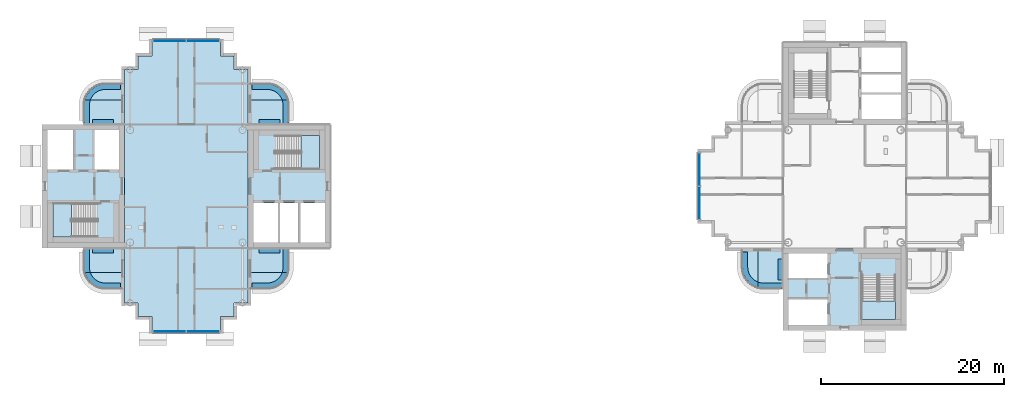
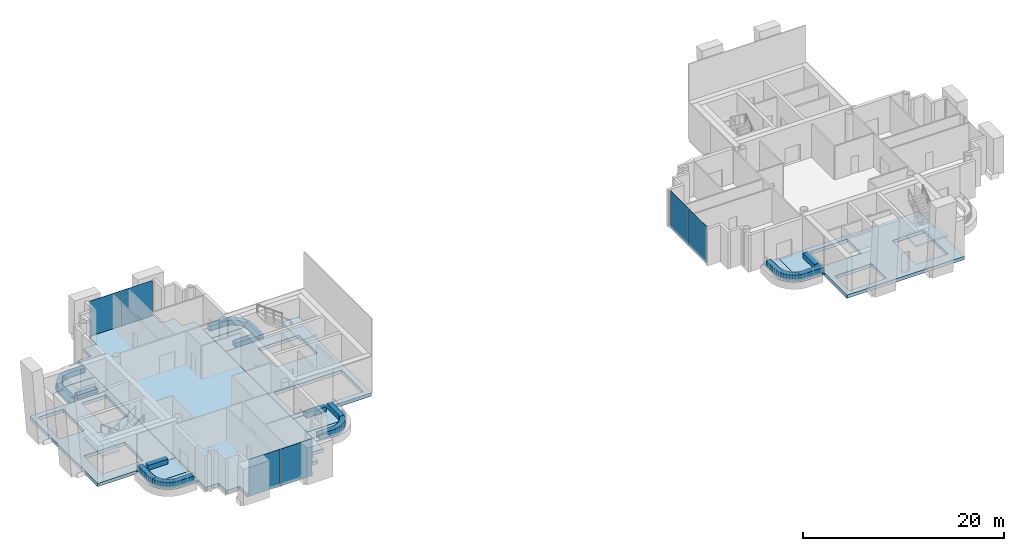
# One storey, part 5 of 20: 32 slabs, 6 plates, 6 elements without a shape of their own.
"""IFC4 building model written with IfcOpenShell, lengths in metres."""

from ifc_helpers import new_model, si_unit, direction, frame, origin, origin_2d, place, context, subcontext, project, spatial, polyline, rectangle, outline, extrude, material, layer, layer_set, type_object, element, aggregate, save


model = new_model("IFC4")

# Units and contexts
model_context = context("Model", 3, precision=1e-05, world=origin(), true_north=direction((0.0, 1.0)))
body_context = subcontext(model_context, "Body", "Model", "MODEL_VIEW")
ifc_project = project(units=[si_unit("LENGTHUNIT", "METRE"), si_unit("AREAUNIT", "SQUARE_METRE"), si_unit("VOLUMEUNIT", "CUBIC_METRE"), si_unit("PLANEANGLEUNIT", "RADIAN"), si_unit("MASSUNIT", "GRAM", prefix="KILO")], contexts=[model_context])

# Site, building, storey
site_placement = place(None, origin())
site = spatial("IfcSite", under=ifc_project, at=site_placement, CompositionType="ELEMENT")
building_placement = place(site_placement, origin())
building = spatial("IfcBuilding", under=site, at=building_placement, Name="Ipe Terrace Towers", CompositionType="ELEMENT")
storey_placement = place(building_placement, frame((0.0, 0.0, 242.39990234375)))
storey = spatial("IfcBuildingStorey", under=building, at=storey_placement, Name="L67", CompositionType="ELEMENT", Elevation=242.39990234375)

# Slabs
ifc_material_1 = material(Name="Concrete C30/37", Category="concrete")
ifc_layer_1 = layer(ifc_material_1, 0.199951171875)
ifc_layer_set_1 = layer_set([ifc_layer_1], Name="BALCONY SLAB 200")
slab_type_1 = type_object("IfcSlabType", Name="BALCONY SLAB 200", PredefinedType="FLOOR", material=ifc_layer_set_1)
slab_1_placement = place(storey_placement, frame((0.0, 0.0, -0.219970703125)))
element("IfcSlab", 1, at=slab_1_placement, inside=storey, type_object=slab_type_1, Name="balcony slab", PredefinedType="FLOOR", context=body_context, shape_type="SweptSolid", body=[
    extrude(outline(polyline([(-47.22900390625, -9.1630859375), (-47.172119140625, -9.449951171875), (-42.75, -9.449951171875), (-42.75, -6.75), (-47.25, -6.75), (-47.25, -8.85009765625), (-47.22900390625, -9.1630859375)])), origin(), (0.0, 0.0, 1.0), 0.199951171875),
])
slab_2_placement = place(storey_placement, frame((0.0, 0.0, -0.219970703125)))
element("IfcSlab", 2, at=slab_2_placement, inside=storey, type_object=slab_type_1, Name="balcony slab", PredefinedType="FLOOR", context=body_context, shape_type="SweptSolid", body=[
    extrude(outline(polyline([(-42.75, -11.25), (-42.75, -9.449951171875), (-47.172119140625, -9.449951171875), (-47.16796875, -9.470947265625), (-47.06689453125, -9.76806640625), (-46.927978515625, -10.050048828125), (-46.75390625, -10.31103515625), (-46.547119140625, -10.547119140625), (-46.31103515625, -10.75390625), (-46.050048828125, -10.927978515625), (-45.76806640625, -11.06689453125), (-45.470947265625, -11.16796875), (-45.1630859375, -11.22900390625), (-44.85009765625, -11.25), (-42.75, -11.25)])), origin(), (0.0, 0.0, 1.0), 0.199951171875),
])
slab_3_placement = place(storey_placement, frame((0.0, 0.0, -0.219970703125)))
element("IfcSlab", 3, at=slab_3_placement, inside=storey, type_object=slab_type_1, Name="balcony slab", PredefinedType="FLOOR", context=body_context, shape_type="SweptSolid", body=[
    extrude(outline(polyline([(-47.22900390625, 9.1630859375), (-47.25, 8.85009765625), (-47.25, 6.75), (-42.75, 6.75), (-42.75, 9.449951171875), (-47.172119140625, 9.449951171875), (-47.22900390625, 9.1630859375)])), origin(), (0.0, 0.0, 1.0), 0.199951171875),
])
slab_4_placement = place(storey_placement, frame((0.0, 0.0, -0.219970703125)))
element("IfcSlab", 4, at=slab_4_placement, inside=storey, type_object=slab_type_1, Name="balcony slab", PredefinedType="FLOOR", context=body_context, shape_type="SweptSolid", body=[
    extrude(outline(polyline([(-42.75, 11.25), (-44.85009765625, 11.25), (-45.1630859375, 11.22900390625), (-45.470947265625, 11.16796875), (-45.76806640625, 11.06689453125), (-46.050048828125, 10.927978515625), (-46.31103515625, 10.75390625), (-46.547119140625, 10.547119140625), (-46.75390625, 10.31103515625), (-46.927978515625, 10.050048828125), (-47.06689453125, 9.76806640625), (-47.16796875, 9.470947265625), (-47.172119140625, 9.449951171875), (-42.75, 9.449951171875), (-42.75, 11.25)])), origin(), (0.0, 0.0, 1.0), 0.199951171875),
])
slab_5_placement = place(storey_placement, frame((0.0, 0.0, -0.219970703125)))
element("IfcSlab", 5, at=slab_5_placement, inside=storey, type_object=slab_type_1, Name="balcony slab", PredefinedType="FLOOR", context=body_context, shape_type="SweptSolid", body=[
    extrude(outline(polyline([(-24.77099609375, -9.1630859375), (-24.75, -8.85009765625), (-24.75, -6.75), (-29.25, -6.75), (-29.25, -9.449951171875), (-24.827880859375, -9.449951171875), (-24.77099609375, -9.1630859375)])), origin(), (0.0, 0.0, 1.0), 0.199951171875),
])
slab_6_placement = place(storey_placement, frame((0.0, 0.0, -0.219970703125)))
element("IfcSlab", 6, at=slab_6_placement, inside=storey, type_object=slab_type_1, Name="balcony slab", PredefinedType="FLOOR", context=body_context, shape_type="SweptSolid", body=[
    extrude(outline(polyline([(-29.25, -11.25), (-27.14990234375, -11.25), (-26.8369140625, -11.22900390625), (-26.529052734375, -11.16796875), (-26.23193359375, -11.06689453125), (-25.949951171875, -10.927978515625), (-25.68896484375, -10.75390625), (-25.452880859375, -10.547119140625), (-25.24609375, -10.31103515625), (-25.072021484375, -10.050048828125), (-24.93310546875, -9.76806640625), (-24.83203125, -9.470947265625), (-24.827880859375, -9.449951171875), (-29.25, -9.449951171875), (-29.25, -11.25)])), origin(), (0.0, 0.0, 1.0), 0.199951171875),
])
slab_7_placement = place(storey_placement, frame((0.0, 0.0, -0.219970703125)))
element("IfcSlab", 7, at=slab_7_placement, inside=storey, type_object=slab_type_1, Name="balcony slab", PredefinedType="FLOOR", context=body_context, shape_type="SweptSolid", body=[
    extrude(outline(polyline([(-24.77099609375, 9.1630859375), (-24.827880859375, 9.449951171875), (-29.25, 9.449951171875), (-29.25, 6.75), (-24.75, 6.75), (-24.75, 8.85009765625), (-24.77099609375, 9.1630859375)])), origin(), (0.0, 0.0, 1.0), 0.199951171875),
])
slab_8_placement = place(storey_placement, frame((0.0, 0.0, -0.219970703125)))
element("IfcSlab", 8, at=slab_8_placement, inside=storey, type_object=slab_type_1, Name="balcony slab", PredefinedType="FLOOR", context=body_context, shape_type="SweptSolid", body=[
    extrude(outline(polyline([(-29.25, 11.25), (-29.25, 9.449951171875), (-24.827880859375, 9.449951171875), (-24.83203125, 9.470947265625), (-24.93310546875, 9.76806640625), (-25.072021484375, 10.050048828125), (-25.24609375, 10.31103515625), (-25.452880859375, 10.547119140625), (-25.68896484375, 10.75390625), (-25.949951171875, 10.927978515625), (-26.23193359375, 11.06689453125), (-26.529052734375, 11.16796875), (-26.8369140625, 11.22900390625), (-27.14990234375, 11.25), (-29.25, 11.25)])), origin(), (0.0, 0.0, 1.0), 0.199951171875),
])
slab_9_placement = place(storey_placement, frame((0.0, 0.0, -0.219970703125)))
element("IfcSlab", 9, at=slab_9_placement, inside=storey, type_object=slab_type_1, Name="balcony slab", PredefinedType="FLOOR", context=body_context, shape_type="SweptSolid", body=[
    extrude(outline(polyline([(26.8369140625, -11.22900390625), (27.14990234375, -11.25), (29.25, -11.25), (29.25, -6.75), (26.550048828125, -6.75), (26.550048828125, -11.172119140625), (26.8369140625, -11.22900390625)])), origin(), (0.0, 0.0, 1.0), 0.199951171875),
])
slab_10_placement = place(storey_placement, frame((0.0, 0.0, -0.219970703125)))
element("IfcSlab", 10, at=slab_10_placement, inside=storey, type_object=slab_type_1, Name="balcony slab", PredefinedType="FLOOR", context=body_context, shape_type="SweptSolid", body=[
    extrude(outline(polyline([(24.75, -6.75), (24.75, -8.85009765625), (24.77099609375, -9.1630859375), (24.83203125, -9.470947265625), (24.93310546875, -9.76806640625), (25.072021484375, -10.050048828125), (25.24609375, -10.31103515625), (25.452880859375, -10.547119140625), (25.68896484375, -10.75390625), (25.949951171875, -10.927978515625), (26.23193359375, -11.06689453125), (26.529052734375, -11.16796875), (26.550048828125, -11.172119140625), (26.550048828125, -6.75), (24.75, -6.75)])), origin(), (0.0, 0.0, 1.0), 0.199951171875),
])
ifc_material_2 = material(Name="Concrete C30/37", Category="concrete")
ifc_layer_2 = layer(ifc_material_2, 0.39990234375)
ifc_layer_set_2 = layer_set([ifc_layer_2], Name="CORE FLOOR SLAB 400 C30-37")
slab_type_2 = type_object("IfcSlabType", Name="CORE FLOOR SLAB 400 C30-37", PredefinedType="FLOOR", material=ifc_layer_set_2)
slab_11_placement = place(storey_placement, frame((0.0, 0.0, -0.39990234375)))
element("IfcSlab", 11, at=slab_11_placement, inside=storey, type_object=slab_type_2, Name="Core floor T1-C1", PredefinedType="FLOOR", context=body_context, shape_type="SweptSolid", body=[
    extrude(outline(polyline([(-29.25, -6.75), (-29.25, 6.75), (-20.25, 6.75), (-20.25, -6.75), (-29.25, -6.75)]), holes=[polyline([(-28.64990234375, -6.14990234375), (-20.85009765625, -6.14990234375), (-20.85009765625, -1.85009765625), (-28.64990234375, -1.85009765625), (-28.64990234375, -6.14990234375)]), polyline([(-26.199951171875, 5.550048828125), (-26.199951171875, 1.89990234375), (-21.449951171875, 1.89990234375), (-21.449951171875, 5.550048828125), (-26.199951171875, 5.550048828125)])]), origin(), (0.0, 0.0, 1.0), 0.39990234375),
])
slab_12_placement = place(storey_placement, frame((0.0, 0.0, -0.39990234375)))
element("IfcSlab", 12, at=slab_12_placement, inside=storey, type_object=slab_type_2, Name="Core floor T1-C2", PredefinedType="FLOOR", context=body_context, shape_type="SweptSolid", body=[
    extrude(outline(polyline([(-51.75, -6.75), (-51.75, 6.75), (-42.75, 6.75), (-42.75, -6.75), (-51.75, -6.75)]), holes=[polyline([(-45.800048828125, -1.89990234375), (-50.550048828125, -1.89990234375), (-50.550048828125, -5.550048828125), (-45.800048828125, -5.550048828125), (-45.800048828125, -1.89990234375)]), polyline([(-48.25, 1.85009765625), (-48.25, 6.14990234375), (-51.14990234375, 6.14990234375), (-51.14990234375, 1.85009765625), (-48.25, 1.85009765625)]), polyline([(-43.35009765625, 1.85009765625), (-43.35009765625, 6.14990234375), (-46.14990234375, 6.14990234375), (-46.14990234375, 1.85009765625), (-43.35009765625, 1.85009765625)])]), origin(), (0.0, 0.0, 1.0), 0.39990234375),
])
slab_13_placement = place(storey_placement, frame((0.0, 0.0, -0.39990234375)))
element("IfcSlab", 13, at=slab_13_placement, inside=storey, type_object=slab_type_2, Name="Core floor T2-C2", PredefinedType="FLOOR", context=body_context, shape_type="SweptSolid", body=[
    extrude(outline(polyline([(29.25, -15.75), (29.25, -6.75), (42.75, -6.75), (42.75, -15.75), (29.25, -15.75)]), holes=[polyline([(29.85009765625, -12.25), (29.85009765625, -15.14990234375), (34.14990234375, -15.14990234375), (34.14990234375, -12.25), (29.85009765625, -12.25)]), polyline([(41.550048828125, -9.800048828125), (37.89990234375, -9.800048828125), (37.89990234375, -14.550048828125), (41.550048828125, -14.550048828125), (41.550048828125, -9.800048828125)]), polyline([(34.14990234375, -7.35009765625), (29.85009765625, -7.35009765625), (29.85009765625, -10.14990234375), (34.14990234375, -10.14990234375), (34.14990234375, -7.35009765625)])]), origin(), (0.0, 0.0, 1.0), 0.39990234375),
])

# Stair, slab
ifc_material_3 = material(Name="Concrete C30/37", Category="concrete")
stair_type = type_object("IfcStairType", Name="Protected exit stair", PredefinedType="HALF_TURN_STAIR", material=ifc_material_3)
stair_1_placement = place(storey_placement, origin())
stair_1 = element("IfcStair", 14, at=stair_1_placement, inside=storey, type_object=stair_type, Name="L67 Exit stair T1-C1", PredefinedType="HALF_TURN_STAIR")
ifc_material_4 = material(Name="Concrete C30/37", Category="concrete")
ifc_layer_3 = layer(ifc_material_4, 0.199951171875)
ifc_layer_set_3 = layer_set([ifc_layer_3], Name="Exit stair landing 200")
slab_type_3 = type_object("IfcSlabType", Name="Exit stair landing 200", PredefinedType="LANDING", material=ifc_layer_set_3)
slab_14_placement = place(storey_placement, frame((0.0, 0.0, 2.050048828125)))
slab_14 = element("IfcSlab", 15, at=slab_14_placement, type_object=slab_type_3, Name="T1-ST1 landing 1", PredefinedType="LANDING", context=body_context, shape_type="SweptSolid", body=[
    extrude(outline(polyline([(-23.43994140625, 1.89990234375), (-21.449951171875, 1.89990234375), (-21.449951171875, 5.550048828125), (-23.43994140625, 5.550048828125), (-23.43994140625, 1.89990234375)])), origin(), (0.0, 0.0, 1.0), 0.199951171875),
])
aggregate(stair_1, [slab_14])

stair_2_placement = place(storey_placement, origin())
stair_2 = element("IfcStair", 16, at=stair_2_placement, inside=storey, type_object=stair_type, Name="L67 Exit stair T1-C2", PredefinedType="HALF_TURN_STAIR")
slab_15_placement = place(storey_placement, frame((0.0, 0.0, 2.050048828125)))
slab_15 = element("IfcSlab", 17, at=slab_15_placement, type_object=slab_type_3, Name="T1-ST2 landing 1", PredefinedType="LANDING", context=body_context, shape_type="SweptSolid", body=[
    extrude(outline(polyline([(-48.56005859375, -1.89990234375), (-50.550048828125, -1.89990234375), (-50.550048828125, -5.550048828125), (-48.56005859375, -5.550048828125), (-48.56005859375, -1.89990234375)])), origin(), (0.0, 0.0, 1.0), 0.199951171875),
])
aggregate(stair_2, [slab_15])

stair_3_placement = place(storey_placement, origin())
stair_3 = element("IfcStair", 18, at=stair_3_placement, inside=storey, type_object=stair_type, Name="L67 Exit stair T2-C2", PredefinedType="HALF_TURN_STAIR")
slab_16_placement = place(storey_placement, frame((0.0, 0.0, 2.050048828125)))
slab_16 = element("IfcSlab", 19, at=slab_16_placement, type_object=slab_type_3, Name="T2-ST2 landing 1", PredefinedType="LANDING", context=body_context, shape_type="SweptSolid", body=[
    extrude(outline(polyline([(37.89990234375, -12.56005859375), (37.89990234375, -14.550048828125), (41.550048828125, -14.550048828125), (41.550048828125, -12.56005859375), (37.89990234375, -12.56005859375)])), origin(), (0.0, 0.0, 1.0), 0.199951171875),
])
aggregate(stair_3, [slab_16])

# Slab
ifc_material_5 = material(Name="Concrete C40/50", Category="concrete")
ifc_layer_4 = layer(ifc_material_5, 0.39990234375)
ifc_layer_set_4 = layer_set([ifc_layer_4], Name="FLAT PLATE SLAB 400 C40-50")
slab_type_4 = type_object("IfcSlabType", Name="FLAT PLATE SLAB 400 C40-50", PredefinedType="FLOOR", material=ifc_layer_set_4)
slab_17_placement = place(storey_placement, frame((0.0, 0.0, -0.39990234375)))
element("IfcSlab", 20, at=slab_17_placement, inside=storey, type_object=slab_type_4, Name="Slab T1-FS-Z41", PredefinedType="FLOOR", context=body_context, shape_type="SweptSolid", body=[
    extrude(outline(polyline([(-30.75, -12.75), (-30.75, -14.25), (-32.25, -14.25), (-32.25, -15.75), (-39.75, -15.75), (-39.75, -14.25), (-41.25, -14.25), (-41.25, -12.75), (-42.75, -12.75), (-42.75, -6.75), (-42.75, 6.75), (-42.75, 12.75), (-41.25, 12.75), (-41.25, 14.25), (-39.75, 14.25), (-39.75, 15.75), (-32.25, 15.75), (-32.25, 14.25), (-30.75, 14.25), (-30.75, 12.75), (-29.25, 12.75), (-29.25, 6.75), (-29.25, -6.75), (-29.25, -12.75), (-30.75, -12.75)])), origin(), (0.0, 0.0, 1.0), 0.39990234375),
])

# Curtain wall, plates
ifc_material_6 = material(Name="Aluminium alloy 6063-T6", Category="aluminium")
ifc_layer_5 = layer(ifc_material_6, 0.320068359375)
ifc_layer_set_5 = layer_set([ifc_layer_5], Name="LANTERN CURTAIN WALL")
curtain_wall_type = type_object("IfcCurtainWallType", Name="LANTERN CURTAIN WALL", PredefinedType="NOTDEFINED", material=ifc_layer_set_5)
curtain_wall_1_placement = place(storey_placement, origin())
curtain_wall_1 = element("IfcCurtainWall", 21, at=curtain_wall_1_placement, inside=storey, type_object=curtain_wall_type, Name="T1-CW-L67-08a curtain wall", PredefinedType="NOTDEFINED")
ifc_material_7 = material(Name="Glass, clear laminated", Category="glass")
ifc_layer_6 = layer(ifc_material_7, 0.0400390625)
ifc_layer_set_6 = layer_set([ifc_layer_6], Name="LANTERN GLASS PANEL 40")
plate_type = type_object("IfcPlateType", Name="LANTERN GLASS PANEL 40", PredefinedType="CURTAIN_PANEL", material=ifc_layer_set_6)
plate_1_placement = place(storey_placement, frame((-37.824951171875, -15.875, -0.2998046875), z_axis=(0.0, 0.0, 1.0), x_axis=(1.0, 0.0, 0.0)))
plate_1 = element("IfcPlate", 22, at=plate_1_placement, type_object=plate_type, Name="T1-CW-L67-08a panel 1", PredefinedType="CURTAIN_PANEL", context=body_context, shape_type="SweptSolid", body=[
    extrude(rectangle(XDim=3.570068359375, YDim=0.0400390625, at=origin_2d()), origin(), (0.0, 0.0, 1.0), 4.5),
])
plate_2_placement = place(storey_placement, frame((-34.175048828125, -15.875, -0.2998046875), z_axis=(0.0, 0.0, 1.0), x_axis=(1.0, 0.0, 0.0)))
plate_2 = element("IfcPlate", 23, at=plate_2_placement, type_object=plate_type, Name="T1-CW-L67-08a panel 2", PredefinedType="CURTAIN_PANEL", context=body_context, shape_type="SweptSolid", body=[
    extrude(rectangle(XDim=3.570068359375, YDim=0.0400390625, at=origin_2d()), origin(), (0.0, 0.0, 1.0), 4.5),
])
aggregate(curtain_wall_1, [plate_1, plate_2])

curtain_wall_2_placement = place(storey_placement, origin())
curtain_wall_2 = element("IfcCurtainWall", 24, at=curtain_wall_2_placement, inside=storey, type_object=curtain_wall_type, Name="T1-CW-L67-26a curtain wall", PredefinedType="NOTDEFINED")
plate_3_placement = place(storey_placement, frame((-34.175048828125, 15.875, -0.2998046875), z_axis=(0.0, 0.0, 1.0), x_axis=(-1.0, 0.0, 0.0)))
plate_3 = element("IfcPlate", 25, at=plate_3_placement, type_object=plate_type, Name="T1-CW-L67-26a panel 1", PredefinedType="CURTAIN_PANEL", context=body_context, shape_type="SweptSolid", body=[
    extrude(rectangle(XDim=3.570068359375, YDim=0.0400390625, at=origin_2d()), origin(), (0.0, 0.0, 1.0), 4.5),
])
plate_4_placement = place(storey_placement, frame((-37.824951171875, 15.875, -0.2998046875), z_axis=(0.0, 0.0, 1.0), x_axis=(-1.0, 0.0, 0.0)))
plate_4 = element("IfcPlate", 26, at=plate_4_placement, type_object=plate_type, Name="T1-CW-L67-26a panel 2", PredefinedType="CURTAIN_PANEL", context=body_context, shape_type="SweptSolid", body=[
    extrude(rectangle(XDim=3.570068359375, YDim=0.0400390625, at=origin_2d()), origin(), (0.0, 0.0, 1.0), 4.5),
])
aggregate(curtain_wall_2, [plate_3, plate_4])

curtain_wall_3_placement = place(storey_placement, origin())
curtain_wall_3 = element("IfcCurtainWall", 27, at=curtain_wall_3_placement, inside=storey, type_object=curtain_wall_type, Name="T2-CW-L67-26a curtain wall", PredefinedType="NOTDEFINED")
plate_5_placement = place(storey_placement, frame((20.125, 1.824951171875, -0.2998046875), z_axis=(0.0, 0.0, 1.0), x_axis=(0.0, -1.0, 0.0)))
plate_5 = element("IfcPlate", 28, at=plate_5_placement, type_object=plate_type, Name="T2-CW-L67-26a panel 1", PredefinedType="CURTAIN_PANEL", context=body_context, shape_type="SweptSolid", body=[
    extrude(rectangle(XDim=3.570068359375, YDim=0.0400390625, at=origin_2d()), origin(), (0.0, 0.0, 1.0), 4.5),
])
plate_6_placement = place(storey_placement, frame((20.125, -1.824951171875, -0.2998046875), z_axis=(0.0, 0.0, 1.0), x_axis=(0.0, -1.0, 0.0)))
plate_6 = element("IfcPlate", 29, at=plate_6_placement, type_object=plate_type, Name="T2-CW-L67-26a panel 2", PredefinedType="CURTAIN_PANEL", context=body_context, shape_type="SweptSolid", body=[
    extrude(rectangle(XDim=3.570068359375, YDim=0.0400390625, at=origin_2d()), origin(), (0.0, 0.0, 1.0), 4.5),
])
aggregate(curtain_wall_3, [plate_5, plate_6])

# Slabs
ifc_material_8 = material(Name="Concrete C30/37", Category="concrete")
ifc_layer_7 = layer(ifc_material_8, 0.60009765625)
ifc_layer_set_7 = layer_set([ifc_layer_7], Name="PLANTER TROUGH 550 x 600")
slab_type_5 = type_object("IfcSlabType", Name="PLANTER TROUGH 550 x 600", PredefinedType="USERDEFINED", material=ifc_layer_set_7)
slab_18_placement = place(storey_placement, frame((0.0, 0.0, -0.02001953125)))
element("IfcSlab", 30, at=slab_18_placement, inside=storey, type_object=slab_type_5, Name="planter", ObjectType="PLANTER", PredefinedType="USERDEFINED", context=body_context, shape_type="SweptSolid", body=[
    extrude(outline(polyline([(-46.529052734375, -9.300048828125), (-46.573974609375, -9.076904296875), (-46.590087890625, -8.827880859375), (-46.590087890625, -6.75), (-47.139892578125, -6.75), (-47.139892578125, -8.8369140625), (-47.138916015625, -8.85498046875), (-47.12109375, -9.131103515625), (-47.116943359375, -9.1669921875), (-47.06494140625, -9.425048828125), (-47.05908203125, -9.449951171875), (-46.47802734375, -9.449951171875), (-46.529052734375, -9.300048828125)])), origin(), (0.0, 0.0, 1.0), 0.60009765625),
])
slab_19_placement = place(storey_placement, frame((0.0, 0.0, -0.02001953125)))
element("IfcSlab", 31, at=slab_19_placement, inside=storey, type_object=slab_type_5, Name="planter", ObjectType="PLANTER", PredefinedType="USERDEFINED", context=body_context, shape_type="SweptSolid", body=[
    extrude(outline(polyline([(-46.4560546875, -9.514892578125), (-46.47802734375, -9.449951171875), (-47.05908203125, -9.449951171875), (-47.055908203125, -9.4599609375), (-46.970947265625, -9.708984375), (-46.95703125, -9.741943359375), (-46.841064453125, -9.97900390625), (-46.822998046875, -10.010009765625), (-46.677001953125, -10.22900390625), (-46.655029296875, -10.257080078125), (-46.48095703125, -10.4560546875), (-46.4560546875, -10.48095703125), (-46.257080078125, -10.655029296875), (-46.22900390625, -10.677001953125), (-46.010009765625, -10.822998046875), (-45.97900390625, -10.841064453125), (-45.741943359375, -10.95703125), (-45.708984375, -10.970947265625), (-45.4599609375, -11.055908203125), (-45.425048828125, -11.06494140625), (-45.1669921875, -11.116943359375), (-45.131103515625, -11.12109375), (-44.85498046875, -11.138916015625), (-44.8369140625, -11.139892578125), (-43.199951171875, -11.139892578125), (-43.199951171875, -10.590087890625), (-44.827880859375, -10.590087890625), (-45.076904296875, -10.573974609375), (-45.300048828125, -10.529052734375), (-45.514892578125, -10.4560546875), (-45.718994140625, -10.35595703125), (-45.907958984375, -10.22900390625), (-46.0791015625, -10.0791015625), (-46.22900390625, -9.907958984375), (-46.35595703125, -9.718994140625), (-46.4560546875, -9.514892578125)])), origin(), (0.0, 0.0, 1.0), 0.60009765625),
])
slab_20_placement = place(storey_placement, frame((0.0, 0.0, -0.02001953125)))
element("IfcSlab", 32, at=slab_20_placement, inside=storey, type_object=slab_type_5, Name="planter", ObjectType="PLANTER", PredefinedType="USERDEFINED", context=body_context, shape_type="SweptSolid", body=[
    extrude(outline(polyline([(-43.949951171875, -6.75), (-46.25, -6.75), (-46.25, -7.300048828125), (-43.949951171875, -7.300048828125), (-43.949951171875, -6.75)])), origin(), (0.0, 0.0, 1.0), 0.60009765625),
])
slab_21_placement = place(storey_placement, frame((0.0, 0.0, -0.02001953125)))
element("IfcSlab", 33, at=slab_21_placement, inside=storey, type_object=slab_type_5, Name="planter", ObjectType="PLANTER", PredefinedType="USERDEFINED", context=body_context, shape_type="SweptSolid", body=[
    extrude(outline(polyline([(-46.529052734375, 9.300048828125), (-46.47802734375, 9.449951171875), (-47.05908203125, 9.449951171875), (-47.06494140625, 9.425048828125), (-47.116943359375, 9.1669921875), (-47.12109375, 9.131103515625), (-47.138916015625, 8.85498046875), (-47.139892578125, 8.8369140625), (-47.139892578125, 6.75), (-46.590087890625, 6.75), (-46.590087890625, 8.827880859375), (-46.573974609375, 9.076904296875), (-46.529052734375, 9.300048828125)])), origin(), (0.0, 0.0, 1.0), 0.60009765625),
])
slab_22_placement = place(storey_placement, frame((0.0, 0.0, -0.02001953125)))
element("IfcSlab", 34, at=slab_22_placement, inside=storey, type_object=slab_type_5, Name="planter", ObjectType="PLANTER", PredefinedType="USERDEFINED", context=body_context, shape_type="SweptSolid", body=[
    extrude(outline(polyline([(-46.4560546875, 9.514892578125), (-46.35595703125, 9.718994140625), (-46.22900390625, 9.907958984375), (-46.0791015625, 10.0791015625), (-45.907958984375, 10.22900390625), (-45.718994140625, 10.35595703125), (-45.514892578125, 10.4560546875), (-45.300048828125, 10.529052734375), (-45.076904296875, 10.573974609375), (-44.827880859375, 10.590087890625), (-43.199951171875, 10.590087890625), (-43.199951171875, 11.139892578125), (-44.8369140625, 11.139892578125), (-44.85498046875, 11.138916015625), (-45.131103515625, 11.12109375), (-45.1669921875, 11.116943359375), (-45.425048828125, 11.06494140625), (-45.4599609375, 11.055908203125), (-45.708984375, 10.970947265625), (-45.741943359375, 10.95703125), (-45.97900390625, 10.841064453125), (-46.010009765625, 10.822998046875), (-46.22900390625, 10.677001953125), (-46.257080078125, 10.655029296875), (-46.4560546875, 10.48095703125), (-46.48095703125, 10.4560546875), (-46.655029296875, 10.257080078125), (-46.677001953125, 10.22900390625), (-46.822998046875, 10.010009765625), (-46.841064453125, 9.97900390625), (-46.95703125, 9.741943359375), (-46.970947265625, 9.708984375), (-47.055908203125, 9.4599609375), (-47.05908203125, 9.449951171875), (-46.47802734375, 9.449951171875), (-46.4560546875, 9.514892578125)])), origin(), (0.0, 0.0, 1.0), 0.60009765625),
])
slab_23_placement = place(storey_placement, frame((0.0, 0.0, -0.02001953125)))
element("IfcSlab", 35, at=slab_23_placement, inside=storey, type_object=slab_type_5, Name="planter", ObjectType="PLANTER", PredefinedType="USERDEFINED", context=body_context, shape_type="SweptSolid", body=[
    extrude(outline(polyline([(-43.949951171875, 6.75), (-43.949951171875, 7.300048828125), (-46.25, 7.300048828125), (-46.25, 6.75), (-43.949951171875, 6.75)])), origin(), (0.0, 0.0, 1.0), 0.60009765625),
])
slab_24_placement = place(storey_placement, frame((0.0, 0.0, -0.02001953125)))
element("IfcSlab", 36, at=slab_24_placement, inside=storey, type_object=slab_type_5, Name="planter", ObjectType="PLANTER", PredefinedType="USERDEFINED", context=body_context, shape_type="SweptSolid", body=[
    extrude(outline(polyline([(-25.470947265625, -9.300048828125), (-25.52197265625, -9.449951171875), (-24.94091796875, -9.449951171875), (-24.93505859375, -9.425048828125), (-24.883056640625, -9.1669921875), (-24.87890625, -9.131103515625), (-24.861083984375, -8.85498046875), (-24.860107421875, -8.8369140625), (-24.860107421875, -6.75), (-25.409912109375, -6.75), (-25.409912109375, -8.827880859375), (-25.426025390625, -9.076904296875), (-25.470947265625, -9.300048828125)])), origin(), (0.0, 0.0, 1.0), 0.60009765625),
])
slab_25_placement = place(storey_placement, frame((0.0, 0.0, -0.02001953125)))
element("IfcSlab", 37, at=slab_25_placement, inside=storey, type_object=slab_type_5, Name="planter", ObjectType="PLANTER", PredefinedType="USERDEFINED", context=body_context, shape_type="SweptSolid", body=[
    extrude(outline(polyline([(-25.5439453125, -9.514892578125), (-25.64404296875, -9.718994140625), (-25.77099609375, -9.907958984375), (-25.9208984375, -10.0791015625), (-26.092041015625, -10.22900390625), (-26.281005859375, -10.35595703125), (-26.485107421875, -10.4560546875), (-26.699951171875, -10.529052734375), (-26.923095703125, -10.573974609375), (-27.172119140625, -10.590087890625), (-28.800048828125, -10.590087890625), (-28.800048828125, -11.139892578125), (-27.1630859375, -11.139892578125), (-27.14501953125, -11.138916015625), (-26.868896484375, -11.12109375), (-26.8330078125, -11.116943359375), (-26.574951171875, -11.06494140625), (-26.5400390625, -11.055908203125), (-26.291015625, -10.970947265625), (-26.258056640625, -10.95703125), (-26.02099609375, -10.841064453125), (-25.989990234375, -10.822998046875), (-25.77099609375, -10.677001953125), (-25.742919921875, -10.655029296875), (-25.5439453125, -10.48095703125), (-25.51904296875, -10.4560546875), (-25.344970703125, -10.257080078125), (-25.322998046875, -10.22900390625), (-25.177001953125, -10.010009765625), (-25.158935546875, -9.97900390625), (-25.04296875, -9.741943359375), (-25.029052734375, -9.708984375), (-24.944091796875, -9.4599609375), (-24.94091796875, -9.449951171875), (-25.52197265625, -9.449951171875), (-25.5439453125, -9.514892578125)])), origin(), (0.0, 0.0, 1.0), 0.60009765625),
])
slab_26_placement = place(storey_placement, frame((0.0, 0.0, -0.02001953125)))
element("IfcSlab", 38, at=slab_26_placement, inside=storey, type_object=slab_type_5, Name="planter", ObjectType="PLANTER", PredefinedType="USERDEFINED", context=body_context, shape_type="SweptSolid", body=[
    extrude(outline(polyline([(-28.050048828125, -6.75), (-28.050048828125, -7.300048828125), (-25.75, -7.300048828125), (-25.75, -6.75), (-28.050048828125, -6.75)])), origin(), (0.0, 0.0, 1.0), 0.60009765625),
])
slab_27_placement = place(storey_placement, frame((0.0, 0.0, -0.02001953125)))
element("IfcSlab", 39, at=slab_27_placement, inside=storey, type_object=slab_type_5, Name="planter", ObjectType="PLANTER", PredefinedType="USERDEFINED", context=body_context, shape_type="SweptSolid", body=[
    extrude(outline(polyline([(-25.470947265625, 9.300048828125), (-25.426025390625, 9.076904296875), (-25.409912109375, 8.827880859375), (-25.409912109375, 6.75), (-24.860107421875, 6.75), (-24.860107421875, 8.8369140625), (-24.861083984375, 8.85498046875), (-24.87890625, 9.131103515625), (-24.883056640625, 9.1669921875), (-24.93505859375, 9.425048828125), (-24.94091796875, 9.449951171875), (-25.52197265625, 9.449951171875), (-25.470947265625, 9.300048828125)])), origin(), (0.0, 0.0, 1.0), 0.60009765625),
])
slab_28_placement = place(storey_placement, frame((0.0, 0.0, -0.02001953125)))
element("IfcSlab", 40, at=slab_28_placement, inside=storey, type_object=slab_type_5, Name="planter", ObjectType="PLANTER", PredefinedType="USERDEFINED", context=body_context, shape_type="SweptSolid", body=[
    extrude(outline(polyline([(-25.5439453125, 9.514892578125), (-25.52197265625, 9.449951171875), (-24.94091796875, 9.449951171875), (-24.944091796875, 9.4599609375), (-25.029052734375, 9.708984375), (-25.04296875, 9.741943359375), (-25.158935546875, 9.97900390625), (-25.177001953125, 10.010009765625), (-25.322998046875, 10.22900390625), (-25.344970703125, 10.257080078125), (-25.51904296875, 10.4560546875), (-25.5439453125, 10.48095703125), (-25.742919921875, 10.655029296875), (-25.77099609375, 10.677001953125), (-25.989990234375, 10.822998046875), (-26.02099609375, 10.841064453125), (-26.258056640625, 10.95703125), (-26.291015625, 10.970947265625), (-26.5400390625, 11.055908203125), (-26.574951171875, 11.06494140625), (-26.8330078125, 11.116943359375), (-26.868896484375, 11.12109375), (-27.14501953125, 11.138916015625), (-27.1630859375, 11.139892578125), (-28.800048828125, 11.139892578125), (-28.800048828125, 10.590087890625), (-27.172119140625, 10.590087890625), (-26.923095703125, 10.573974609375), (-26.699951171875, 10.529052734375), (-26.485107421875, 10.4560546875), (-26.281005859375, 10.35595703125), (-26.092041015625, 10.22900390625), (-25.9208984375, 10.0791015625), (-25.77099609375, 9.907958984375), (-25.64404296875, 9.718994140625), (-25.5439453125, 9.514892578125)])), origin(), (0.0, 0.0, 1.0), 0.60009765625),
])
slab_29_placement = place(storey_placement, frame((0.0, 0.0, -0.02001953125)))
element("IfcSlab", 41, at=slab_29_placement, inside=storey, type_object=slab_type_5, Name="planter", ObjectType="PLANTER", PredefinedType="USERDEFINED", context=body_context, shape_type="SweptSolid", body=[
    extrude(outline(polyline([(-28.050048828125, 6.75), (-25.75, 6.75), (-25.75, 7.300048828125), (-28.050048828125, 7.300048828125), (-28.050048828125, 6.75)])), origin(), (0.0, 0.0, 1.0), 0.60009765625),
])
slab_30_placement = place(storey_placement, frame((0.0, 0.0, -0.02001953125)))
element("IfcSlab", 42, at=slab_30_placement, inside=storey, type_object=slab_type_5, Name="planter", ObjectType="PLANTER", PredefinedType="USERDEFINED", context=body_context, shape_type="SweptSolid", body=[
    extrude(outline(polyline([(26.699951171875, -10.529052734375), (26.550048828125, -10.47802734375), (26.550048828125, -11.05908203125), (26.574951171875, -11.06494140625), (26.8330078125, -11.116943359375), (26.868896484375, -11.12109375), (27.14501953125, -11.138916015625), (27.1630859375, -11.139892578125), (29.25, -11.139892578125), (29.25, -10.590087890625), (27.172119140625, -10.590087890625), (26.923095703125, -10.573974609375), (26.699951171875, -10.529052734375)])), origin(), (0.0, 0.0, 1.0), 0.60009765625),
])
slab_31_placement = place(storey_placement, frame((0.0, 0.0, -0.02001953125)))
element("IfcSlab", 43, at=slab_31_placement, inside=storey, type_object=slab_type_5, Name="planter", ObjectType="PLANTER", PredefinedType="USERDEFINED", context=body_context, shape_type="SweptSolid", body=[
    extrude(outline(polyline([(26.485107421875, -10.4560546875), (26.281005859375, -10.35595703125), (26.092041015625, -10.22900390625), (25.9208984375, -10.0791015625), (25.77099609375, -9.907958984375), (25.64404296875, -9.718994140625), (25.5439453125, -9.514892578125), (25.470947265625, -9.300048828125), (25.426025390625, -9.076904296875), (25.409912109375, -8.827880859375), (25.409912109375, -7.199951171875), (24.860107421875, -7.199951171875), (24.860107421875, -8.8369140625), (24.861083984375, -8.85498046875), (24.87890625, -9.131103515625), (24.883056640625, -9.1669921875), (24.93505859375, -9.425048828125), (24.944091796875, -9.4599609375), (25.029052734375, -9.708984375), (25.04296875, -9.741943359375), (25.158935546875, -9.97900390625), (25.177001953125, -10.010009765625), (25.322998046875, -10.22900390625), (25.344970703125, -10.257080078125), (25.51904296875, -10.4560546875), (25.5439453125, -10.48095703125), (25.742919921875, -10.655029296875), (25.77099609375, -10.677001953125), (25.989990234375, -10.822998046875), (26.02099609375, -10.841064453125), (26.258056640625, -10.95703125), (26.291015625, -10.970947265625), (26.5400390625, -11.055908203125), (26.550048828125, -11.05908203125), (26.550048828125, -10.47802734375), (26.485107421875, -10.4560546875)])), origin(), (0.0, 0.0, 1.0), 0.60009765625),
])
slab_32_placement = place(storey_placement, frame((0.0, 0.0, -0.02001953125)))
element("IfcSlab", 44, at=slab_32_placement, inside=storey, type_object=slab_type_5, Name="planter", ObjectType="PLANTER", PredefinedType="USERDEFINED", context=body_context, shape_type="SweptSolid", body=[
    extrude(outline(polyline([(29.25, -7.949951171875), (28.699951171875, -7.949951171875), (28.699951171875, -10.25), (29.25, -10.25), (29.25, -7.949951171875)])), origin(), (0.0, 0.0, 1.0), 0.60009765625),
])

save(model, "model.ifc")
